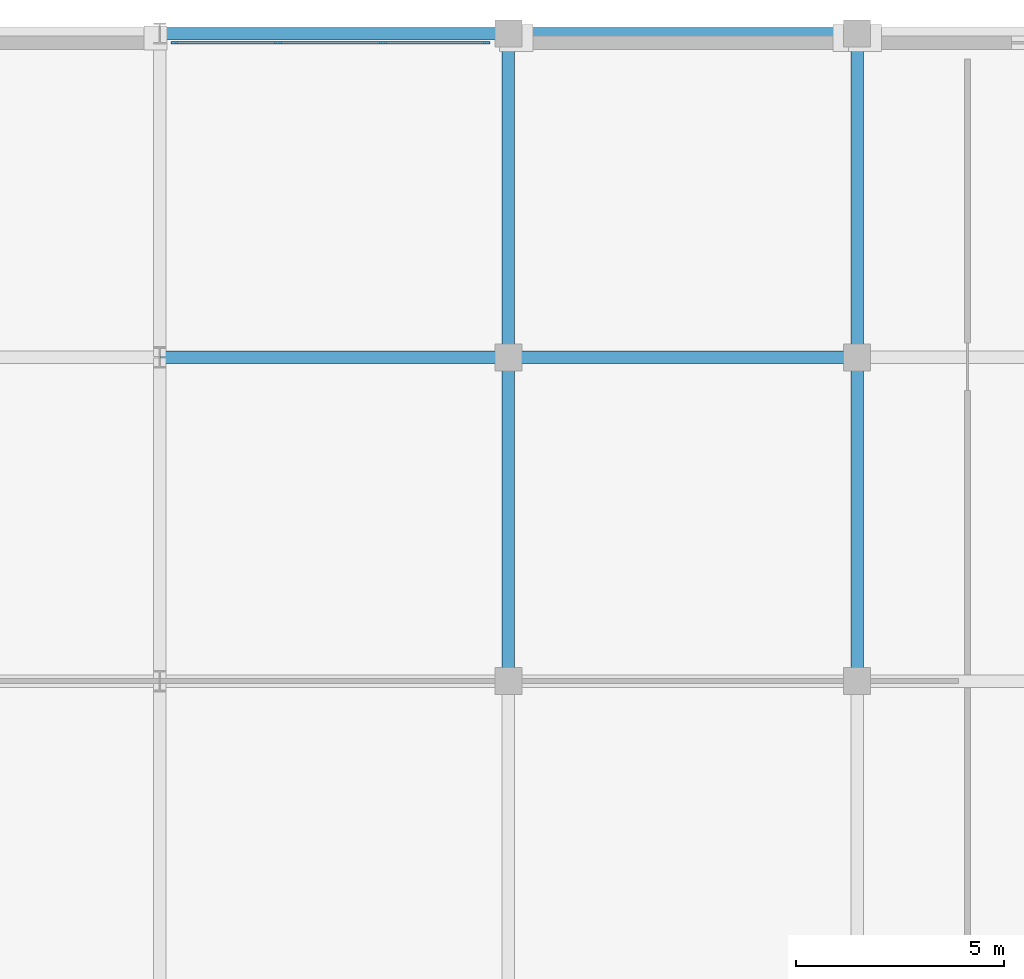
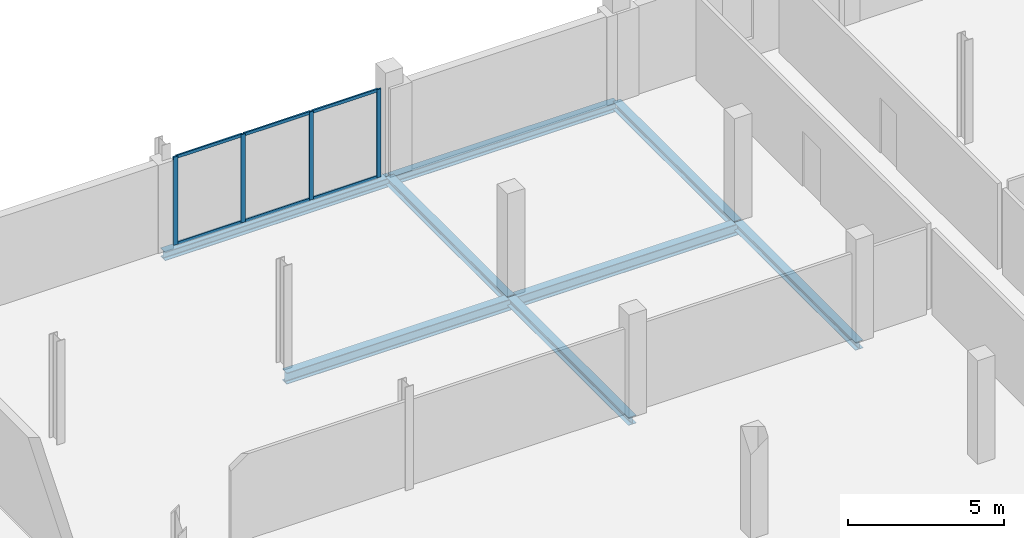
# One storey, part 44 of 77: 10 members, 8 beams, 1 element without a shape of its own.
"""IFC4 building model written with IfcOpenShell, lengths in metres."""

from ifc_helpers import new_model, si_unit, direction, frame, origin, origin_2d, place, context, subcontext, project, spatial, rectangle, i_section, extrude, material, material_profile, profile_set, type_object, element, aggregate, save


model = new_model("IFC4")

# Units and contexts
model_context = context("Model", 3, precision=1e-05, world=origin(), true_north=direction((0.0, 1.0)))
body_context = subcontext(model_context, "Body", "Model", "MODEL_VIEW")
ifc_project = project(units=[si_unit("LENGTHUNIT", "METRE"), si_unit("AREAUNIT", "SQUARE_METRE"), si_unit("VOLUMEUNIT", "CUBIC_METRE"), si_unit("PLANEANGLEUNIT", "RADIAN"), si_unit("MASSUNIT", "GRAM", prefix="KILO")], contexts=[model_context])

# Site, building, storey
site_placement = place(None, origin())
site = spatial("IfcSite", under=ifc_project, at=site_placement, CompositionType="ELEMENT")
building_placement = place(site_placement, origin())
building = spatial("IfcBuilding", under=site, at=building_placement, Name="Nabrawat Pavilion Hospital", CompositionType="ELEMENT")
storey_placement = place(building_placement, frame((0.0, 0.0, 14.85009765625)))
storey = spatial("IfcBuildingStorey", under=building, at=storey_placement, Name="L03", CompositionType="ELEMENT", Elevation=14.85009765625)

# Curtain wall, members
ifc_material_1 = material(Name="Anodised Aluminium", Category="aluminium")
curtain_wall_type = type_object("IfcCurtainWallType", Name="Inpatient Dayroom Bay Curtain Wall", PredefinedType="USERDEFINED", material=ifc_material_1)
curtain_wall_placement = place(storey_placement, origin())
curtain_wall = element("IfcCurtainWall", 1, at=curtain_wall_placement, inside=storey, type_object=curtain_wall_type, Name="L03 Inpatient Dayroom Bay Curtain Wall 144", ObjectType="CURTAIN WALL", PredefinedType="USERDEFINED")
ifc_material_profile_1 = material_profile(ifc_material_1, rectangle(XDim=0.06005859375, YDim=0.159912109375, at=origin_2d()), Name="CWM 60x160")
ifc_profile_set_1 = profile_set([ifc_material_profile_1], Name="Anodised Aluminium")
member_type_1 = type_object("IfcMemberType", Name="Inpatient Dayroom Bay Curtain Wall Mullion CWM 60x160", PredefinedType="MULLION", material=ifc_profile_set_1)
member_1_placement = place(storey_placement, frame((143.14990234375, 124.580078125, 0.0), z_axis=(0.0, 0.0, 1.0), x_axis=(0.0, 1.0, 0.0)))
member_1 = element("IfcMember", 2, at=member_1_placement, type_object=member_type_1, Name="CW-WRD-01 mullion 1", PredefinedType="MULLION", context=body_context, shape_type="SweptSolid", body=[
    extrude(rectangle(XDim=0.06005859375, YDim=0.159912109375, at=origin_2d()), origin(), (0.0, 0.0, 1.0), 3.449951171875),
])
member_2_placement = place(storey_placement, frame((145.6484375, 124.580078125, 0.0), z_axis=(0.0, 0.0, 1.0), x_axis=(0.0, 1.0, 0.0)))
member_2 = element("IfcMember", 3, at=member_2_placement, type_object=member_type_1, Name="CW-WRD-01 mullion 2", PredefinedType="MULLION", context=body_context, shape_type="SweptSolid", body=[
    extrude(rectangle(XDim=0.06005859375, YDim=0.159912109375, at=origin_2d()), origin(), (0.0, 0.0, 1.0), 3.449951171875),
])
member_3_placement = place(storey_placement, frame((148.1767578125, 124.580078125, 0.0), z_axis=(0.0, 0.0, 1.0), x_axis=(0.0, 1.0, 0.0)))
member_3 = element("IfcMember", 4, at=member_3_placement, type_object=member_type_1, Name="CW-WRD-01 mullion 3", PredefinedType="MULLION", context=body_context, shape_type="SweptSolid", body=[
    extrude(rectangle(XDim=0.06005859375, YDim=0.159912109375, at=origin_2d()), origin(), (0.0, 0.0, 1.0), 3.449951171875),
])
member_4_placement = place(storey_placement, frame((150.675048828125, 124.580078125, 0.0), z_axis=(0.0, 0.0, 1.0), x_axis=(0.0, 1.0, 0.0)))
member_4 = element("IfcMember", 5, at=member_4_placement, type_object=member_type_1, Name="CW-WRD-01 mullion 4", PredefinedType="MULLION", context=body_context, shape_type="SweptSolid", body=[
    extrude(rectangle(XDim=0.06005859375, YDim=0.159912109375, at=origin_2d()), origin(), (0.0, 0.0, 1.0), 3.449951171875),
])
ifc_material_profile_2 = material_profile(ifc_material_1, rectangle(XDim=0.06005859375, YDim=0.1201171875, at=origin_2d()), Name="CWT 60x120")
ifc_profile_set_2 = profile_set([ifc_material_profile_2], Name="Anodised Aluminium")
member_type_2 = type_object("IfcMemberType", Name="Inpatient Dayroom Bay Curtain Wall Transom CWT 60x120", PredefinedType="USERDEFINED", material=ifc_profile_set_2)
member_5_placement = place(storey_placement, frame((143.179931640625, 124.580078125, 0.02978515625), z_axis=(1.0, 0.0, 0.0), x_axis=(0.0, 1.0, 0.0)))
member_5 = element("IfcMember", 6, at=member_5_placement, type_object=member_type_2, Name="CW-WRD-01 transom 1.1", ObjectType="TRANSOM", PredefinedType="USERDEFINED", context=body_context, shape_type="SweptSolid", body=[
    extrude(rectangle(XDim=0.06005859375, YDim=0.1201171875, at=origin_2d()), origin(), (0.0, 0.0, 1.0), 2.4384765625),
])
member_6_placement = place(storey_placement, frame((143.179931640625, 124.580078125, 3.419921875), z_axis=(1.0, 0.0, 0.0), x_axis=(0.0, 1.0, 0.0)))
member_6 = element("IfcMember", 7, at=member_6_placement, type_object=member_type_2, Name="CW-WRD-01 transom 1.2", ObjectType="TRANSOM", PredefinedType="USERDEFINED", context=body_context, shape_type="SweptSolid", body=[
    extrude(rectangle(XDim=0.06005859375, YDim=0.1201171875, at=origin_2d()), origin(), (0.0, 0.0, 1.0), 2.4384765625),
])
member_7_placement = place(storey_placement, frame((145.67822265625, 124.580078125, 0.02978515625), z_axis=(1.0, 0.0, 0.0), x_axis=(0.0, 1.0, 0.0)))
member_7 = element("IfcMember", 8, at=member_7_placement, type_object=member_type_2, Name="CW-WRD-01 transom 2.1", ObjectType="TRANSOM", PredefinedType="USERDEFINED", context=body_context, shape_type="SweptSolid", body=[
    extrude(rectangle(XDim=0.06005859375, YDim=0.1201171875, at=origin_2d()), origin(), (0.0, 0.0, 1.0), 2.468505859375),
])
member_8_placement = place(storey_placement, frame((145.67822265625, 124.580078125, 3.419921875), z_axis=(1.0, 0.0, 0.0), x_axis=(0.0, 1.0, 0.0)))
member_8 = element("IfcMember", 9, at=member_8_placement, type_object=member_type_2, Name="CW-WRD-01 transom 2.2", ObjectType="TRANSOM", PredefinedType="USERDEFINED", context=body_context, shape_type="SweptSolid", body=[
    extrude(rectangle(XDim=0.06005859375, YDim=0.1201171875, at=origin_2d()), origin(), (0.0, 0.0, 1.0), 2.468505859375),
])
member_9_placement = place(storey_placement, frame((148.206787109375, 124.580078125, 0.02978515625), z_axis=(1.0, 0.0, 0.0), x_axis=(0.0, 1.0, 0.0)))
member_9 = element("IfcMember", 10, at=member_9_placement, type_object=member_type_2, Name="CW-WRD-01 transom 3.1", ObjectType="TRANSOM", PredefinedType="USERDEFINED", context=body_context, shape_type="SweptSolid", body=[
    extrude(rectangle(XDim=0.06005859375, YDim=0.1201171875, at=origin_2d()), origin(), (0.0, 0.0, 1.0), 2.438232421875),
])
member_10_placement = place(storey_placement, frame((148.206787109375, 124.580078125, 3.419921875), z_axis=(1.0, 0.0, 0.0), x_axis=(0.0, 1.0, 0.0)))
member_10 = element("IfcMember", 11, at=member_10_placement, type_object=member_type_2, Name="CW-WRD-01 transom 3.2", ObjectType="TRANSOM", PredefinedType="USERDEFINED", context=body_context, shape_type="SweptSolid", body=[
    extrude(rectangle(XDim=0.06005859375, YDim=0.1201171875, at=origin_2d()), origin(), (0.0, 0.0, 1.0), 2.438232421875),
])
aggregate(curtain_wall, [member_1, member_2, member_3, member_4, member_5, member_6, member_7, member_8, member_9, member_10])

# Beams
ifc_material_2 = material(Name="Steel S355", Category="steel")
ifc_material_profile_3 = material_profile(ifc_material_2, i_section(OverallWidth=0.300048828125, OverallDepth=0.43994140625, WebThickness=0.011474609375, FlangeThickness=0.02099609375, FilletRadius=0.027099609375, at=origin_2d()), Name="HEA 450")
ifc_profile_set_3 = profile_set([ifc_material_profile_3], Name="Steel S355")
beam_type_1 = type_object("IfcBeamType", Name="Mid-Tier Ward Girder HEA 450", PredefinedType="USERDEFINED", material=ifc_profile_set_3)
beam_1_placement = place(storey_placement, frame((142.820068359375, 117.0, -0.460205078125), z_axis=(1.0, 0.0, 0.0), x_axis=(0.0, 1.0, 0.0)))
element("IfcBeam", 12, at=beam_1_placement, inside=storey, type_object=beam_type_1, Name="L03 Primary X Girder 1573", ObjectType="GIRDER", PredefinedType="USERDEFINED", context=body_context, shape_type="SweptSolid", body=[
    extrude(i_section(OverallWidth=0.300048828125, OverallDepth=0.43994140625, WebThickness=0.011474609375, FlangeThickness=0.02099609375, FilletRadius=0.027099609375, at=origin_2d()), origin(), (0.0, 0.0, 1.0), 8.35986328125),
])
beam_2_placement = place(storey_placement, frame((151.219970703125, 117.0, -0.460205078125), z_axis=(1.0, 0.0, 0.0), x_axis=(0.0, 1.0, 0.0)))
element("IfcBeam", 13, at=beam_2_placement, inside=storey, type_object=beam_type_1, Name="L03 Primary X Girder 1574", ObjectType="GIRDER", PredefinedType="USERDEFINED", context=body_context, shape_type="SweptSolid", body=[
    extrude(i_section(OverallWidth=0.300048828125, OverallDepth=0.43994140625, WebThickness=0.011474609375, FlangeThickness=0.02099609375, FilletRadius=0.027099609375, at=origin_2d()), origin(), (0.0, 0.0, 1.0), 8.360107421875),
])
ifc_material_profile_4 = material_profile(ifc_material_2, i_section(OverallWidth=0.300048828125, OverallDepth=0.340087890625, WebThickness=0.011962890625, FlangeThickness=0.021484375, FilletRadius=0.027099609375, at=origin_2d()), Name="HEB 340")
ifc_profile_set_4 = profile_set([ifc_material_profile_4], Name="Steel S355")
beam_type_2 = type_object("IfcBeamType", Name="Ward Perimeter Spandrel Beam HEB 340", PredefinedType="SPANDREL", material=ifc_profile_set_4)
beam_3_placement = place(storey_placement, frame((142.820068359375, 124.800048828125, -0.41015625), z_axis=(1.0, 0.0, 0.0), x_axis=(0.0, 1.0, 0.0)))
element("IfcBeam", 14, at=beam_3_placement, inside=storey, type_object=beam_type_2, Name="L03 Primary X Girder 1581", PredefinedType="SPANDREL", context=body_context, shape_type="SweptSolid", body=[
    extrude(i_section(OverallWidth=0.300048828125, OverallDepth=0.340087890625, WebThickness=0.011962890625, FlangeThickness=0.021484375, FilletRadius=0.027099609375, at=origin_2d()), origin(), (0.0, 0.0, 1.0), 8.35986328125),
])
beam_4_placement = place(storey_placement, frame((151.219970703125, 124.800048828125, -0.41015625), z_axis=(1.0, 0.0, 0.0), x_axis=(0.0, 1.0, 0.0)))
element("IfcBeam", 15, at=beam_4_placement, inside=storey, type_object=beam_type_2, Name="L03 Primary X Girder 1582", PredefinedType="SPANDREL", context=body_context, shape_type="SweptSolid", body=[
    extrude(i_section(OverallWidth=0.300048828125, OverallDepth=0.340087890625, WebThickness=0.011962890625, FlangeThickness=0.021484375, FilletRadius=0.027099609375, at=origin_2d()), origin(), (0.0, 0.0, 1.0), 8.360107421875),
])
ifc_material_profile_5 = material_profile(ifc_material_2, i_section(OverallWidth=0.300048828125, OverallDepth=0.31005859375, WebThickness=0.009033203125, FlangeThickness=0.015380859375, FilletRadius=0.027099609375, at=origin_2d()), Name="HEA 320")
ifc_profile_set_5 = profile_set([ifc_material_profile_5], Name="Steel S355")
beam_type_3 = type_object("IfcBeamType", Name="Ward Spine Beam HEA 320", PredefinedType="BEAM", material=ifc_profile_set_5)
for number, where, z_axis, x_axis, name in (
    (16, (151.199951171875, 109.219970703125, -0.39501953125), (0.0, 1.0, 0.0), (-1.0, 0.0, 0.0), "L03 Primary Y Beam 1686"),
    (17, (151.199951171875, 117.02001953125, -0.39501953125), (0.0, 1.0, 0.0), (-1.0, 0.0, 0.0), "L03 Primary Y Beam 1687"),
    (18, (159.60009765625, 109.219970703125, -0.39501953125), (0.0, 1.0, 0.0), (-1.0, 0.0, 0.0), "L03 Primary Y Beam 1702"),
    (19, (159.60009765625, 117.02001953125, -0.39501953125), (0.0, 1.0, 0.0), (-1.0, 0.0, 0.0), "L03 Primary Y Beam 1703"),
):
    element("IfcBeam", number, at=place(storey_placement, frame(where, z_axis=z_axis, x_axis=x_axis)), inside=storey, type_object=beam_type_3, Name=name, PredefinedType="BEAM", context=body_context, shape_type="SweptSolid", body=[
        extrude(i_section(OverallWidth=0.300048828125, OverallDepth=0.31005859375, WebThickness=0.009033203125, FlangeThickness=0.015380859375, FilletRadius=0.027099609375, at=origin_2d()), origin(), (0.0, 0.0, 1.0), 7.760009765625),
    ])

save(model, "model.ifc")
